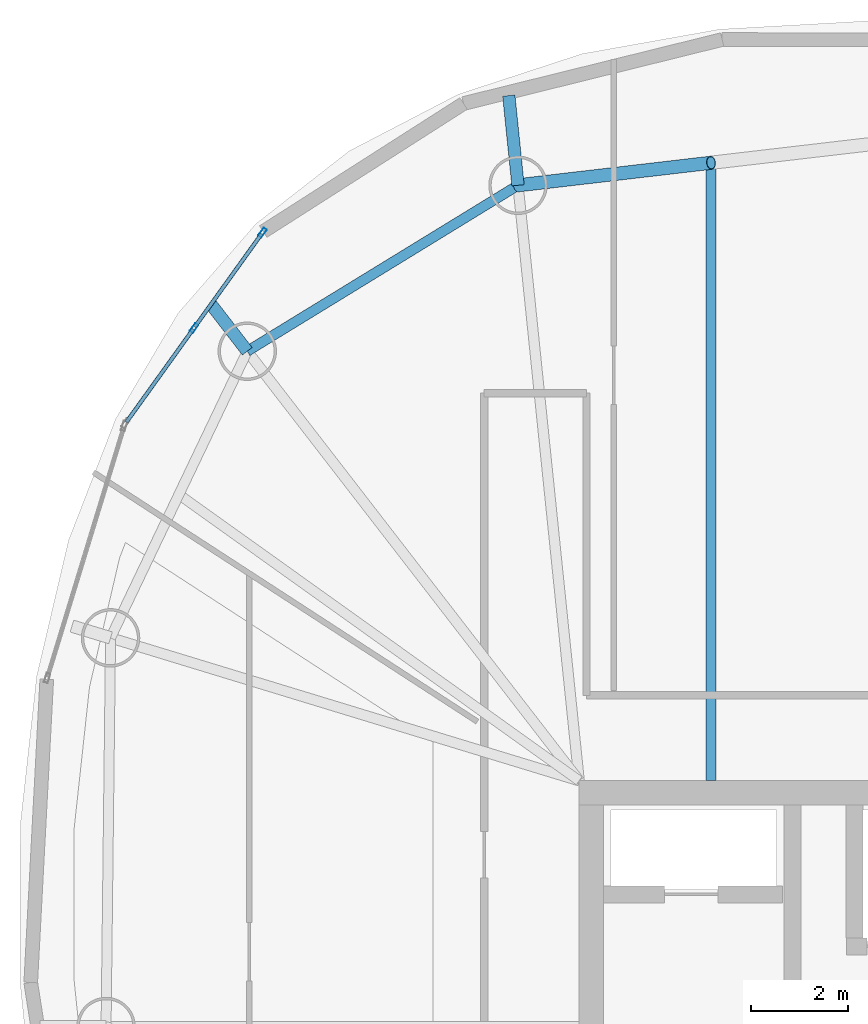
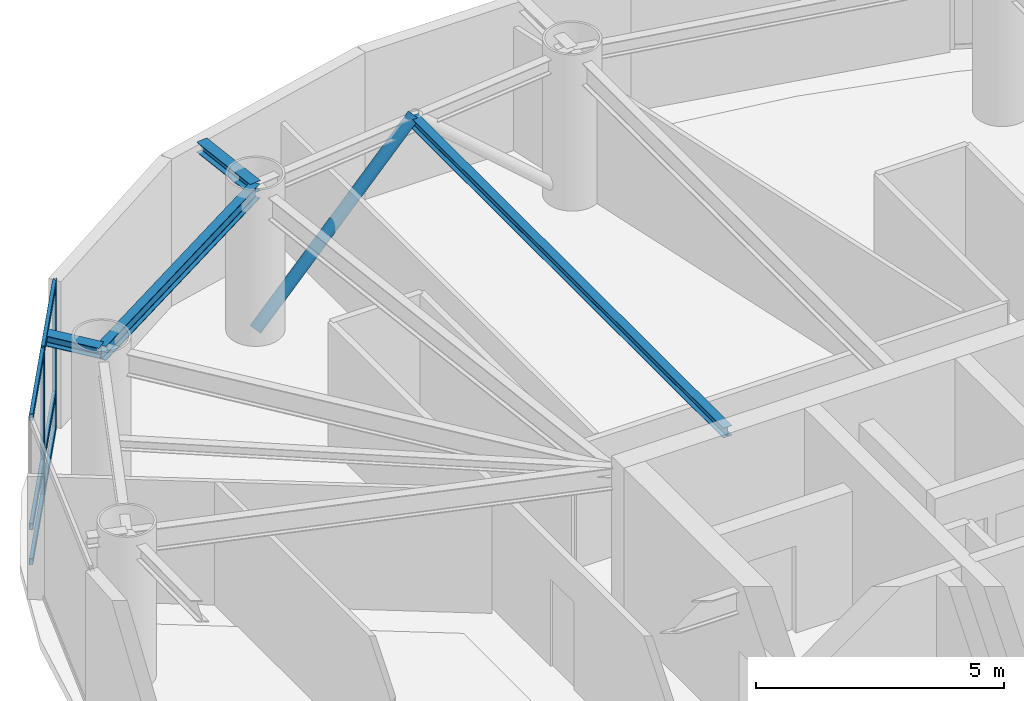
# One storey, part 8 of 19: 9 members, 4 beams, 1 element without a shape of its own.
"""IFC4 building model written with IfcOpenShell, lengths in metres."""

from ifc_helpers import new_model, si_unit, direction, frame, origin, origin_2d, place, context, subcontext, project, spatial, hollow_rectangle, hollow_circle, i_section, extrude, material, layer, layer_set, material_profile, profile_set, type_object, element, aggregate, save


model = new_model("IFC4")

# Units and contexts
model_context = context("Model", 3, precision=1e-05, world=origin(), true_north=direction((0.0, 1.0)))
body_context = subcontext(model_context, "Body", "Model", "MODEL_VIEW")
ifc_project = project(units=[si_unit("LENGTHUNIT", "METRE"), si_unit("AREAUNIT", "SQUARE_METRE"), si_unit("VOLUMEUNIT", "CUBIC_METRE"), si_unit("PLANEANGLEUNIT", "RADIAN"), si_unit("MASSUNIT", "GRAM", prefix="KILO")], contexts=[model_context])

# Site, building, storey
site_placement = place(None, origin())
site = spatial("IfcSite", under=ifc_project, at=site_placement, CompositionType="ELEMENT")
building_placement = place(site_placement, origin())
building = spatial("IfcBuilding", under=site, at=building_placement, Name="Bramvorn Convention Spire", CompositionType="ELEMENT")
storey_placement = place(building_placement, frame((0.0, 0.0, 217.39990234375)))
storey = spatial("IfcBuildingStorey", under=building, at=storey_placement, Name="L55", CompositionType="ELEMENT", Elevation=217.39990234375)

# Beams
ifc_material_1 = material(Name="Steel CSA G40.21 Grade 350 (350W)", Category="steel")
ifc_material_profile_1 = material_profile(ifc_material_1, i_section(OverallWidth=0.201904296875, OverallDepth=0.2470703125, WebThickness=0.00732421875, FlangeThickness=0.010986328125, FilletRadius=0.011962890625, at=origin_2d()))
ifc_profile_set_1 = profile_set([ifc_material_profile_1], Name="Steel CSA G40.21 Grade 350 (350W) - W250X49")
beam_type_1 = type_object("IfcBeamType", Name="BM-W250X49", PredefinedType="JOIST", material=ifc_profile_set_1)
beam_1_placement = place(storey_placement, frame((29.455810546875, 33.449951171875, 3.49658203125), z_axis=(0.0, 1.0, 0.0), x_axis=(-1.0, 0.0, 0.0)))
element("IfcBeam", 1, at=beam_1_placement, inside=storey, type_object=beam_type_1, Name="L55 composite floor joist 07", PredefinedType="JOIST", context=body_context, shape_type="SweptSolid", body=[
    extrude(i_section(OverallWidth=0.201904296875, OverallDepth=0.2470703125, WebThickness=0.00732421875, FlangeThickness=0.010986328125, FilletRadius=0.011962890625, at=origin_2d()), origin(), (0.0, 0.0, 1.0), 12.676025390625),
])
ifc_material_profile_2 = material_profile(ifc_material_1, i_section(OverallWidth=0.25390625, OverallDepth=0.2529296875, WebThickness=0.008544921875, FlangeThickness=0.01416015625, FilletRadius=0.011962890625, at=origin_2d()))
ifc_profile_set_2 = profile_set([ifc_material_profile_2], Name="Steel CSA G40.21 Grade 350 (350W) - W250X73")
beam_type_2 = type_object("IfcBeamType", Name="BM-W250X73", PredefinedType="BEAM", material=ifc_profile_set_2)
beam_2_placement = place(storey_placement, frame((25.49560546875, 45.663818359375, 3.49365234375), z_axis=(-0.102196379666, 0.994764243418, 0.0), x_axis=(-0.994764243418, -0.102196379666, 0.0)))
element("IfcBeam", 2, at=beam_2_placement, inside=storey, type_object=beam_type_2, Name="L55 slab-edge cantilever tip beam MC08", PredefinedType="BEAM", context=body_context, shape_type="SweptSolid", body=[
    extrude(i_section(OverallWidth=0.25390625, OverallDepth=0.2529296875, WebThickness=0.008544921875, FlangeThickness=0.01416015625, FilletRadius=0.011962890625, at=origin_2d()), origin(), (0.0, 0.0, 1.0), 1.84912109375),
])
beam_3_placement = place(storey_placement, frame((19.941650390625, 42.260009765625, 3.49365234375), z_axis=(-0.611492924984, 0.791249899017, 0.0), x_axis=(-0.791249899017, -0.611492924984, 0.0)))
element("IfcBeam", 3, at=beam_3_placement, inside=storey, type_object=beam_type_2, Name="L55 slab-edge cantilever tip beam MC09", PredefinedType="BEAM", context=body_context, shape_type="SweptSolid", body=[
    extrude(i_section(OverallWidth=0.25390625, OverallDepth=0.2529296875, WebThickness=0.008544921875, FlangeThickness=0.01416015625, FilletRadius=0.011962890625, at=origin_2d()), origin(), (0.0, 0.0, 1.0), 1.2236328125),
])
ifc_material_profile_3 = material_profile(ifc_material_1, i_section(OverallWidth=0.205078125, OverallDepth=0.35400390625, WebThickness=0.009521484375, FlangeThickness=0.016845703125, FilletRadius=0.014892578125, at=origin_2d()))
ifc_profile_set_3 = profile_set([ifc_material_profile_3], Name="Steel CSA G40.21 Grade 350 (350W) - W360X79")
beam_type_3 = type_object("IfcBeamType", Name="BM-W360X79", PredefinedType="JOIST", material=ifc_profile_set_3)
beam_4_placement = place(storey_placement, frame((25.49560546875, 45.663818359375, 3.443115234375), z_axis=(-0.852616873135, -0.522536570629, 0.0), x_axis=(0.522536570629, -0.852616873135, 0.0)))
element("IfcBeam", 4, at=beam_4_placement, inside=storey, type_object=beam_type_3, Name="L55 mega-column ring beam 08", PredefinedType="JOIST", context=body_context, shape_type="SweptSolid", body=[
    extrude(i_section(OverallWidth=0.205078125, OverallDepth=0.35400390625, WebThickness=0.009521484375, FlangeThickness=0.016845703125, FilletRadius=0.014892578125, at=origin_2d()), origin(), (0.0, 0.0, 1.0), 6.513916015625),
])

# Curtain wall, members
ifc_material_2 = material(Name="Anodised Bronze Unitised Curtain Wall", Category="aluminium")
ifc_layer = layer(ifc_material_2, 0.179931640625)
ifc_layer_set = layer_set([ifc_layer], Name="Anodised Bronze Unitised Curtain Wall - CW-OFF-FRIT")
curtain_wall_type = type_object("IfcCurtainWallType", Name="CW-OFF-FRIT", PredefinedType="USERDEFINED", material=ifc_layer_set)
curtain_wall_placement = place(storey_placement, origin())
curtain_wall = element("IfcCurtainWall", 5, at=curtain_wall_placement, inside=storey, type_object=curtain_wall_type, Name="L55 fritted glass curtain wall 13", ObjectType="UNITISED CURTAIN WALL", PredefinedType="USERDEFINED")
ifc_material_3 = material(Name="Anodised Bronze Aluminium 6063-T6", Category="aluminium")
ifc_material_profile_4 = material_profile(ifc_material_3, hollow_rectangle(XDim=0.080078125, YDim=0.199951171875, WallThickness=0.00390625, InnerFilletRadius=0.0009765625, OuterFilletRadius=0.00390625, at=origin_2d()))
ifc_profile_set_4 = profile_set([ifc_material_profile_4], Name="Anodised Bronze Aluminium 6063-T6 - CWM80X200")
member_type_1 = type_object("IfcMemberType", Name="CW-MUL-180", PredefinedType="MULLION", material=ifc_profile_set_4)
member_1_placement = place(storey_placement, frame((18.848388671875, 42.735107421875, 0.0), z_axis=(0.0, 0.0, 1.0), x_axis=(-0.812260702788, 0.583294565984, 0.0)))
member_1 = element("IfcMember", 6, at=member_1_placement, type_object=member_type_1, Name="CW3 mullion 2", PredefinedType="MULLION", context=body_context, shape_type="SweptSolid", body=[
    extrude(hollow_rectangle(XDim=0.080078125, YDim=0.199951171875, WallThickness=0.00390625, InnerFilletRadius=0.0009765625, OuterFilletRadius=0.00390625, at=origin_2d()), origin(), (0.0, 0.0, 1.0), 3.6201171875),
])
member_2_placement = place(storey_placement, frame((20.2529296875, 44.691162109375, 0.0), z_axis=(0.0, 0.0, 1.0), x_axis=(-0.812260702788, 0.583294565984, 0.0)))
member_2 = element("IfcMember", 7, at=member_2_placement, type_object=member_type_1, Name="CW3 mullion 3", PredefinedType="MULLION", context=body_context, shape_type="SweptSolid", body=[
    extrude(hollow_rectangle(XDim=0.080078125, YDim=0.199951171875, WallThickness=0.00390625, InnerFilletRadius=0.0009765625, OuterFilletRadius=0.00390625, at=origin_2d()), origin(), (0.0, 0.0, 1.0), 3.6201171875),
])
ifc_material_profile_5 = material_profile(ifc_material_3, hollow_rectangle(XDim=0.080078125, YDim=0.159912109375, WallThickness=0.00390625, InnerFilletRadius=0.0009765625, OuterFilletRadius=0.00390625, at=origin_2d()))
ifc_profile_set_5 = profile_set([ifc_material_profile_5], Name="Anodised Bronze Aluminium 6063-T6 - CWT80X160")
member_type_2 = type_object("IfcMemberType", Name="CW-TRN-150", PredefinedType="USERDEFINED", material=ifc_profile_set_5)
member_3_placement = place(storey_placement, frame((17.461181640625, 40.803466796875, 0.030029296875), z_axis=(0.583252518442, 0.812290896004, 0.0), x_axis=(-0.812290896004, 0.583252518442, 0.0)))
member_3 = element("IfcMember", 8, at=member_3_placement, type_object=member_type_2, Name="CW3 transom 1.1", ObjectType="TRANSOM", PredefinedType="USERDEFINED", context=body_context, shape_type="SweptSolid", body=[
    extrude(hollow_rectangle(XDim=0.080078125, YDim=0.159912109375, WallThickness=0.00390625, InnerFilletRadius=0.0009765625, OuterFilletRadius=0.00390625, at=origin_2d()), origin(), (0.0, 0.0, 1.0), 2.34814453125),
])
member_4_placement = place(storey_placement, frame((17.461181640625, 40.803466796875, 0.900146484375), z_axis=(0.583252518442, 0.812290896004, 0.0), x_axis=(-0.812290896004, 0.583252518442, 0.0)))
member_4 = element("IfcMember", 9, at=member_4_placement, type_object=member_type_2, Name="CW3 transom 1.2", ObjectType="TRANSOM", PredefinedType="USERDEFINED", context=body_context, shape_type="SweptSolid", body=[
    extrude(hollow_rectangle(XDim=0.080078125, YDim=0.159912109375, WallThickness=0.00390625, InnerFilletRadius=0.0009765625, OuterFilletRadius=0.00390625, at=origin_2d()), origin(), (0.0, 0.0, 1.0), 2.34814453125),
])
member_5_placement = place(storey_placement, frame((17.461181640625, 40.803466796875, 3.590087890625), z_axis=(0.583252518442, 0.812290896004, 0.0), x_axis=(-0.812290896004, 0.583252518442, 0.0)))
member_5 = element("IfcMember", 10, at=member_5_placement, type_object=member_type_2, Name="CW3 transom 1.3", ObjectType="TRANSOM", PredefinedType="USERDEFINED", context=body_context, shape_type="SweptSolid", body=[
    extrude(hollow_rectangle(XDim=0.080078125, YDim=0.159912109375, WallThickness=0.00390625, InnerFilletRadius=0.0009765625, OuterFilletRadius=0.00390625, at=origin_2d()), origin(), (0.0, 0.0, 1.0), 2.34814453125),
])
member_6_placement = place(storey_placement, frame((18.865966796875, 42.759521484375, 0.030029296875), z_axis=(0.58330177785, 0.812255523808, 0.0), x_axis=(-0.812255523808, 0.58330177785, 0.0)))
member_6 = element("IfcMember", 11, at=member_6_placement, type_object=member_type_2, Name="CW3 transom 2.1", ObjectType="TRANSOM", PredefinedType="USERDEFINED", context=body_context, shape_type="SweptSolid", body=[
    extrude(hollow_rectangle(XDim=0.080078125, YDim=0.159912109375, WallThickness=0.00390625, InnerFilletRadius=0.0009765625, OuterFilletRadius=0.00390625, at=origin_2d()), origin(), (0.0, 0.0, 1.0), 2.34814453125),
])
member_7_placement = place(storey_placement, frame((18.865966796875, 42.759521484375, 0.900146484375), z_axis=(0.58330177785, 0.812255523808, 0.0), x_axis=(-0.812255523808, 0.58330177785, 0.0)))
member_7 = element("IfcMember", 12, at=member_7_placement, type_object=member_type_2, Name="CW3 transom 2.2", ObjectType="TRANSOM", PredefinedType="USERDEFINED", context=body_context, shape_type="SweptSolid", body=[
    extrude(hollow_rectangle(XDim=0.080078125, YDim=0.159912109375, WallThickness=0.00390625, InnerFilletRadius=0.0009765625, OuterFilletRadius=0.00390625, at=origin_2d()), origin(), (0.0, 0.0, 1.0), 2.34814453125),
])
member_8_placement = place(storey_placement, frame((18.865966796875, 42.759521484375, 3.590087890625), z_axis=(0.58330177785, 0.812255523808, 0.0), x_axis=(-0.812255523808, 0.58330177785, 0.0)))
member_8 = element("IfcMember", 13, at=member_8_placement, type_object=member_type_2, Name="CW3 transom 2.3", ObjectType="TRANSOM", PredefinedType="USERDEFINED", context=body_context, shape_type="SweptSolid", body=[
    extrude(hollow_rectangle(XDim=0.080078125, YDim=0.159912109375, WallThickness=0.00390625, InnerFilletRadius=0.0009765625, OuterFilletRadius=0.00390625, at=origin_2d()), origin(), (0.0, 0.0, 1.0), 2.34814453125),
])
aggregate(curtain_wall, [member_1, member_2, member_3, member_4, member_5, member_6, member_7, member_8])

# Member
ifc_material_profile_6 = material_profile(ifc_material_1, hollow_circle(Radius=0.136474609375, WallThickness=0.0126953125, at=origin_2d()))
ifc_profile_set_6 = profile_set([ifc_material_profile_6], Name="Steel CSA G40.21 Grade 350 (350W) - CHS273X13")
member_type_3 = type_object("IfcMemberType", Name="MBR-CHS273X13", PredefinedType="BRACE", material=ifc_profile_set_6)
member_9_placement = place(storey_placement, frame((25.49560546875, 45.663818359375, 0.0), z_axis=(0.735365466565, 0.085817571556, 0.672214976772), x_axis=(-0.115913925363, 0.99325926218, 0.0)))
element("IfcMember", 14, at=member_9_placement, inside=storey, type_object=member_type_3, Name="L55 perimeter Gothic lancet brace 7B", PredefinedType="BRACE", context=body_context, shape_type="SweptSolid", body=[
    extrude(hollow_circle(Radius=0.136474609375, WallThickness=0.0126953125, at=origin_2d()), origin(), (0.0, 0.0, 1.0), 5.38525390625),
])

save(model, "model.ifc")
